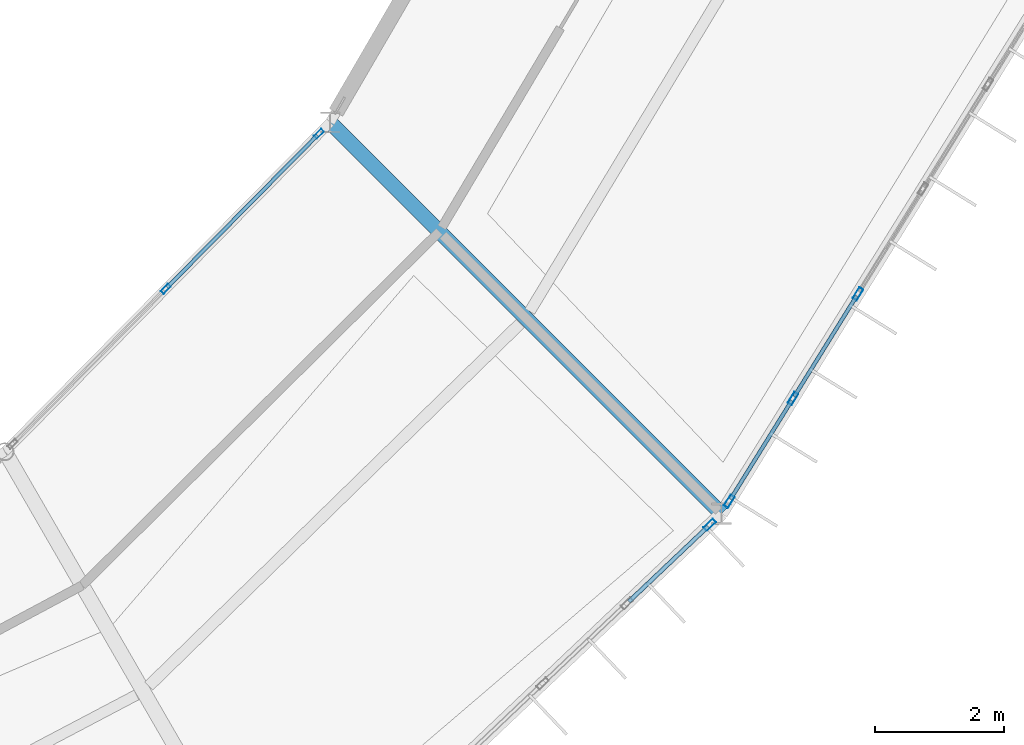
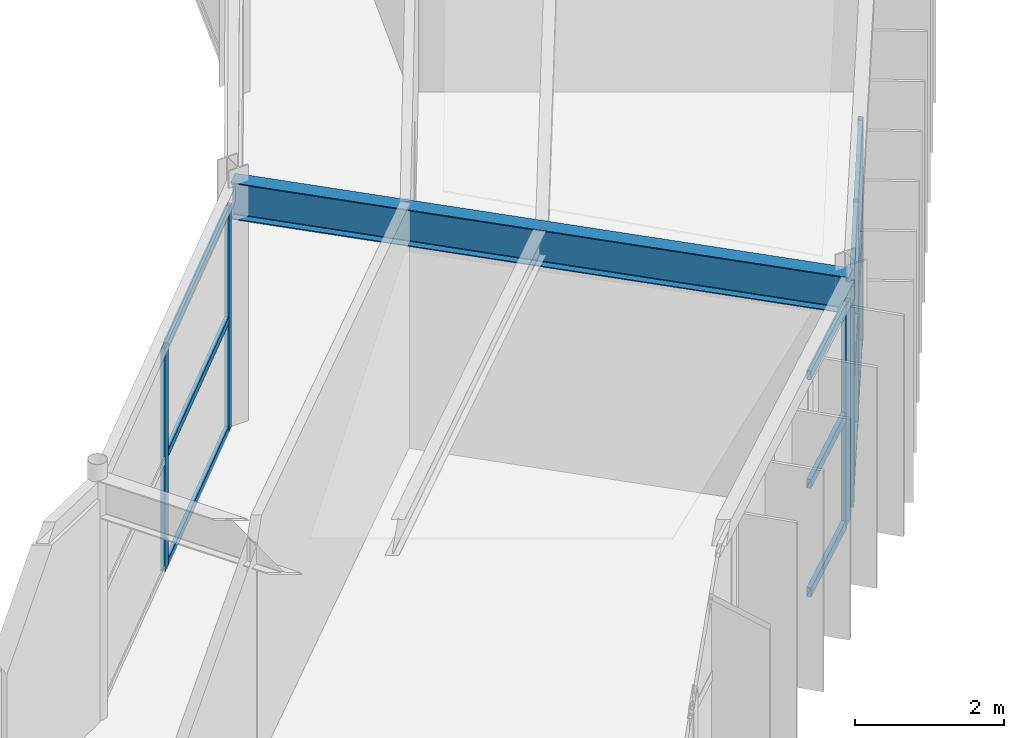
# One storey, part 53 of 148: 18 members, 1 beam, 3 elements without a shape of their own.
"""IFC4 building model written with IfcOpenShell, lengths in metres."""

from ifc_helpers import new_model, si_unit, direction, frame, origin, origin_2d, place, context, subcontext, project, spatial, hollow_rectangle, i_section, extrude, material, material_profile, profile_set, type_object, element, aggregate, save


model = new_model("IFC4")

# Units and contexts
model_context = context("Model", 3, precision=1e-05, world=origin(), true_north=direction((0.0, 1.0)))
body_context = subcontext(model_context, "Body", "Model", "MODEL_VIEW")
ifc_project = project(units=[si_unit("LENGTHUNIT", "METRE"), si_unit("AREAUNIT", "SQUARE_METRE"), si_unit("VOLUMEUNIT", "CUBIC_METRE"), si_unit("PLANEANGLEUNIT", "RADIAN"), si_unit("MASSUNIT", "GRAM", prefix="KILO")], contexts=[model_context])

# Site, building, storey
site_placement = place(None, origin())
site = spatial("IfcSite", under=ifc_project, at=site_placement, CompositionType="ELEMENT")
building_placement = place(site_placement, origin())
building = spatial("IfcBuilding", under=site, at=building_placement, Name="Karori Crest Natural Sciences Institute", CompositionType="ELEMENT")
storey_placement = place(building_placement, frame((0.0, 0.0, 4.89990234375)))
storey = spatial("IfcBuildingStorey", under=building, at=storey_placement, Name="L01", CompositionType="ELEMENT", Elevation=4.89990234375)

# Beam
ifc_material_1 = material(Name="Structural steel AS/NZS 3679.1 Grade 350", Category="steel")
ifc_material_profile_1 = material_profile(ifc_material_1, i_section(OverallWidth=0.22802734375, OverallDepth=0.60205078125, WebThickness=0.010498046875, FlangeThickness=0.014892578125, FilletRadius=0.013916015625, at=origin_2d()), Name="610UB101")
ifc_profile_set_1 = profile_set([ifc_material_profile_1], Name="Structural steel AS/NZS 3679.1 Grade 350")
beam_type = type_object("IfcBeamType", Name="BT-27", PredefinedType="BEAM", material=ifc_profile_set_1)
beam_placement = place(storey_placement, frame((83.6533203125, 27.131103515625, 3.63916015625), z_axis=(0.70712097513, -0.707092586958, 0.0), x_axis=(0.707092586958, 0.70712097513, 0.0)))
element("IfcBeam", 1, at=beam_placement, inside=storey, type_object=beam_type, Name="Beam B-0262", PredefinedType="BEAM", context=body_context, shape_type="SweptSolid", body=[
    extrude(i_section(OverallWidth=0.22802734375, OverallDepth=0.60205078125, WebThickness=0.010498046875, FlangeThickness=0.014892578125, FilletRadius=0.013916015625, at=origin_2d()), origin(), (0.0, 0.0, 1.0), 8.60009765625),
])

# Curtain wall, members
ifc_material_2 = material(Name="Anodised architectural aluminium 6063-T6", Category="aluminium")
curtain_wall_type_1 = type_object("IfcCurtainWallType", Name="CWT-11", PredefinedType="NOTDEFINED", material=ifc_material_2)
curtain_wall_1_placement = place(storey_placement, origin())
curtain_wall_1 = element("IfcCurtainWall", 2, at=curtain_wall_1_placement, inside=storey, type_object=curtain_wall_type_1, Name="Curtain wall CW-0060", PredefinedType="NOTDEFINED")
ifc_material_profile_2 = material_profile(ifc_material_2, hollow_rectangle(XDim=0.06494140625, YDim=0.159912109375, WallThickness=0.00390625, at=origin_2d()), Name="CWM160x65x4")
ifc_profile_set_2 = profile_set([ifc_material_profile_2], Name="Anodised architectural aluminium 6063-T6")
member_type_1 = type_object("IfcMemberType", Name="CWM-01", PredefinedType="MULLION", material=ifc_profile_set_2)
member_1_placement = place(storey_placement, frame((81.097900390625, 24.54345703125, 0.0), z_axis=(0.0, 0.0, 1.0), x_axis=(-0.71152941525, 0.70265631089, 0.0)))
member_1 = element("IfcMember", 3, at=member_1_placement, type_object=member_type_1, Name="CW-0060 mullion 2", PredefinedType="MULLION", context=body_context, shape_type="SweptSolid", body=[
    extrude(hollow_rectangle(XDim=0.06494140625, YDim=0.159912109375, WallThickness=0.00390625, at=origin_2d()), origin(), (0.0, 0.0, 1.0), 3.650146484375),
])
member_2_placement = place(storey_placement, frame((83.478515625, 26.9541015625, 0.0), z_axis=(0.0, 0.0, 1.0), x_axis=(-0.71152941525, 0.70265631089, 0.0)))
member_2 = element("IfcMember", 4, at=member_2_placement, type_object=member_type_1, Name="CW-0060 mullion 3", PredefinedType="MULLION", context=body_context, shape_type="SweptSolid", body=[
    extrude(hollow_rectangle(XDim=0.06494140625, YDim=0.159912109375, WallThickness=0.00390625, at=origin_2d()), origin(), (0.0, 0.0, 1.0), 3.650146484375),
])

# Curtain wall, member
curtain_wall_type_2 = type_object("IfcCurtainWallType", Name="CWT-01", PredefinedType="NOTDEFINED", material=ifc_material_2)
curtain_wall_2_placement = place(storey_placement, origin())
curtain_wall_2 = element("IfcCurtainWall", 5, at=curtain_wall_2_placement, inside=storey, type_object=curtain_wall_type_2, Name="Curtain wall CW-0059", PredefinedType="NOTDEFINED")
ifc_material_profile_3 = material_profile(ifc_material_2, hollow_rectangle(XDim=0.074951171875, YDim=0.199951171875, WallThickness=0.0048828125, at=origin_2d()), Name="CWM200x75x5")
ifc_profile_set_3 = profile_set([ifc_material_profile_3], Name="Anodised architectural aluminium 6063-T6")
member_type_2 = type_object("IfcMemberType", Name="CWM-02", PredefinedType="MULLION", material=ifc_profile_set_3)
member_3_placement = place(storey_placement, frame((89.55322265625, 20.878173828125, 0.0), z_axis=(0.0, 0.0, 1.0), x_axis=(0.688250886925, -0.725472753897, 0.0)))
member_3 = element("IfcMember", 6, at=member_3_placement, type_object=member_type_2, Name="CW-0059 mullion 1", PredefinedType="MULLION", context=body_context, shape_type="SweptSolid", body=[
    extrude(hollow_rectangle(XDim=0.074951171875, YDim=0.199951171875, WallThickness=0.0048828125, at=origin_2d()), origin(), (0.0, 0.0, 1.0), 3.625),
])

# Curtain wall, members
curtain_wall_type_3 = type_object("IfcCurtainWallType", Name="CWT-02", PredefinedType="NOTDEFINED", material=ifc_material_2)
curtain_wall_3_placement = place(storey_placement, origin())
curtain_wall_3 = element("IfcCurtainWall", 7, at=curtain_wall_3_placement, inside=storey, type_object=curtain_wall_type_3, Name="Curtain wall CW-0061", PredefinedType="NOTDEFINED")
member_4_placement = place(storey_placement, frame((91.85546875, 24.46728515625, 0.0), z_axis=(0.0, 0.0, 1.0), x_axis=(0.849662102168, -0.527327518853, 0.0)))
member_4 = element("IfcMember", 8, at=member_4_placement, type_object=member_type_2, Name="CW-0061 mullion 4", PredefinedType="MULLION", context=body_context, shape_type="SweptSolid", body=[
    extrude(hollow_rectangle(XDim=0.074951171875, YDim=0.199951171875, WallThickness=0.0048828125, at=origin_2d()), origin(), (0.0, 0.0, 1.0), 3.625),
])
member_5_placement = place(storey_placement, frame((90.84521484375, 22.839599609375, 0.0), z_axis=(0.0, 0.0, 1.0), x_axis=(0.849662102168, -0.527327518853, 0.0)))
member_5 = element("IfcMember", 9, at=member_5_placement, type_object=member_type_2, Name="CW-0061 mullion 5", PredefinedType="MULLION", context=body_context, shape_type="SweptSolid", body=[
    extrude(hollow_rectangle(XDim=0.074951171875, YDim=0.199951171875, WallThickness=0.0048828125, at=origin_2d()), origin(), (0.0, 0.0, 1.0), 3.625),
])
member_6_placement = place(storey_placement, frame((89.854736328125, 21.24365234375, 0.0), z_axis=(0.0, 0.0, 1.0), x_axis=(0.849662102168, -0.527327518853, 0.0)))
member_6 = element("IfcMember", 10, at=member_6_placement, type_object=member_type_2, Name="CW-0061 mullion 6", PredefinedType="MULLION", context=body_context, shape_type="SweptSolid", body=[
    extrude(hollow_rectangle(XDim=0.074951171875, YDim=0.199951171875, WallThickness=0.0048828125, at=origin_2d()), origin(), (0.0, 0.0, 1.0), 3.625),
])

# Member
ifc_material_profile_4 = material_profile(ifc_material_2, hollow_rectangle(XDim=0.06005859375, YDim=0.1201171875, WallThickness=0.00390625, at=origin_2d()), Name="CWT120x60x4")
ifc_profile_set_4 = profile_set([ifc_material_profile_4], Name="Anodised architectural aluminium 6063-T6")
member_type_3 = type_object("IfcMemberType", Name="CWT-TR1", PredefinedType="USERDEFINED", material=ifc_profile_set_4)
member_7_placement = place(storey_placement, frame((81.120849609375, 24.566650390625, 0.030029296875), z_axis=(0.702647532142, 0.711538084416, 0.0), x_axis=(-0.711538084416, 0.702647532142, 0.0)))
member_7 = element("IfcMember", 11, at=member_7_placement, type_object=member_type_3, Name="CW-0060 transom 2.1", ObjectType="TRANSOM", PredefinedType="USERDEFINED", context=body_context, shape_type="SweptSolid", body=[
    extrude(hollow_rectangle(XDim=0.06005859375, YDim=0.1201171875, WallThickness=0.00390625, at=origin_2d()), origin(), (0.0, 0.0, 1.0), 3.32275390625),
])

member_8_placement = place(storey_placement, frame((81.120849609375, 24.566650390625, 1.8251953125), z_axis=(0.702647532142, 0.711538084416, 0.0), x_axis=(-0.711538084416, 0.702647532142, 0.0)))
member_8 = element("IfcMember", 12, at=member_8_placement, type_object=member_type_3, Name="CW-0060 transom 2.2", ObjectType="TRANSOM", PredefinedType="USERDEFINED", context=body_context, shape_type="SweptSolid", body=[
    extrude(hollow_rectangle(XDim=0.06005859375, YDim=0.1201171875, WallThickness=0.00390625, at=origin_2d()), origin(), (0.0, 0.0, 1.0), 3.32275390625),
])

member_9_placement = place(storey_placement, frame((81.120849609375, 24.566650390625, 3.6201171875), z_axis=(0.702647532142, 0.711538084416, 0.0), x_axis=(-0.711538084416, 0.702647532142, 0.0)))
member_9 = element("IfcMember", 13, at=member_9_placement, type_object=member_type_3, Name="CW-0060 transom 2.3", ObjectType="TRANSOM", PredefinedType="USERDEFINED", context=body_context, shape_type="SweptSolid", body=[
    extrude(hollow_rectangle(XDim=0.06005859375, YDim=0.1201171875, WallThickness=0.00390625, at=origin_2d()), origin(), (0.0, 0.0, 1.0), 3.32275390625),
])

aggregate(curtain_wall_1, [member_1, member_2, member_7, member_8, member_9])

member_10_placement = place(storey_placement, frame((91.835693359375, 24.435546875, 0.030029296875), z_axis=(-0.527290232852, -0.849685241922, 0.0), x_axis=(0.849685241922, -0.527290232852, 0.0)))
member_10 = element("IfcMember", 14, at=member_10_placement, type_object=member_type_3, Name="CW-0061 transom 4.1", ObjectType="TRANSOM", PredefinedType="USERDEFINED", context=body_context, shape_type="SweptSolid", body=[
    extrude(hollow_rectangle(XDim=0.06005859375, YDim=0.1201171875, WallThickness=0.00390625, at=origin_2d()), origin(), (0.0, 0.0, 1.0), 1.8408203125),
])

member_11_placement = place(storey_placement, frame((91.835693359375, 24.435546875, 1.8125), z_axis=(-0.527290232852, -0.849685241922, 0.0), x_axis=(0.849685241922, -0.527290232852, 0.0)))
member_11 = element("IfcMember", 15, at=member_11_placement, type_object=member_type_3, Name="CW-0061 transom 4.2", ObjectType="TRANSOM", PredefinedType="USERDEFINED", context=body_context, shape_type="SweptSolid", body=[
    extrude(hollow_rectangle(XDim=0.06005859375, YDim=0.1201171875, WallThickness=0.00390625, at=origin_2d()), origin(), (0.0, 0.0, 1.0), 1.8408203125),
])

member_12_placement = place(storey_placement, frame((91.835693359375, 24.435546875, 3.59521484375), z_axis=(-0.527290232852, -0.849685241922, 0.0), x_axis=(0.849685241922, -0.527290232852, 0.0)))
member_12 = element("IfcMember", 16, at=member_12_placement, type_object=member_type_3, Name="CW-0061 transom 4.3", ObjectType="TRANSOM", PredefinedType="USERDEFINED", context=body_context, shape_type="SweptSolid", body=[
    extrude(hollow_rectangle(XDim=0.06005859375, YDim=0.1201171875, WallThickness=0.00390625, at=origin_2d()), origin(), (0.0, 0.0, 1.0), 1.8408203125),
])

member_13_placement = place(storey_placement, frame((90.825439453125, 22.8076171875, 0.030029296875), z_axis=(-0.52737971393, -0.84962970601, 0.0), x_axis=(0.84962970601, -0.52737971393, 0.0)))
member_13 = element("IfcMember", 17, at=member_13_placement, type_object=member_type_3, Name="CW-0061 transom 5.1", ObjectType="TRANSOM", PredefinedType="USERDEFINED", context=body_context, shape_type="SweptSolid", body=[
    extrude(hollow_rectangle(XDim=0.06005859375, YDim=0.1201171875, WallThickness=0.00390625, at=origin_2d()), origin(), (0.0, 0.0, 1.0), 1.80322265625),
])

member_14_placement = place(storey_placement, frame((90.825439453125, 22.8076171875, 1.8125), z_axis=(-0.52737971393, -0.84962970601, 0.0), x_axis=(0.84962970601, -0.52737971393, 0.0)))
member_14 = element("IfcMember", 18, at=member_14_placement, type_object=member_type_3, Name="CW-0061 transom 5.2", ObjectType="TRANSOM", PredefinedType="USERDEFINED", context=body_context, shape_type="SweptSolid", body=[
    extrude(hollow_rectangle(XDim=0.06005859375, YDim=0.1201171875, WallThickness=0.00390625, at=origin_2d()), origin(), (0.0, 0.0, 1.0), 1.80322265625),
])

member_15_placement = place(storey_placement, frame((90.825439453125, 22.8076171875, 3.59521484375), z_axis=(-0.52737971393, -0.84962970601, 0.0), x_axis=(0.84962970601, -0.52737971393, 0.0)))
member_15 = element("IfcMember", 19, at=member_15_placement, type_object=member_type_3, Name="CW-0061 transom 5.3", ObjectType="TRANSOM", PredefinedType="USERDEFINED", context=body_context, shape_type="SweptSolid", body=[
    extrude(hollow_rectangle(XDim=0.06005859375, YDim=0.1201171875, WallThickness=0.00390625, at=origin_2d()), origin(), (0.0, 0.0, 1.0), 1.80322265625),
])

aggregate(curtain_wall_3, [member_4, member_5, member_6, member_10, member_11, member_12, member_13, member_14, member_15])

ifc_material_profile_5 = material_profile(ifc_material_2, hollow_rectangle(XDim=0.06494140625, YDim=0.14990234375, WallThickness=0.00390625, at=origin_2d()), Name="CWT150x65x4")
ifc_profile_set_5 = profile_set([ifc_material_profile_5], Name="Anodised architectural aluminium 6063-T6")
member_type_4 = type_object("IfcMemberType", Name="CWT-TR2", PredefinedType="USERDEFINED", material=ifc_profile_set_5)
member_16_placement = place(storey_placement, frame((89.526123046875, 20.852294921875, 0.03271484375), z_axis=(-0.725419497715, -0.68830701895, 0.0), x_axis=(0.68830701895, -0.725419497715, 0.0)))
member_16 = element("IfcMember", 20, at=member_16_placement, type_object=member_type_4, Name="CW-0059 transom 1.1", ObjectType="TRANSOM", PredefinedType="USERDEFINED", context=body_context, shape_type="SweptSolid", body=[
    extrude(hollow_rectangle(XDim=0.06494140625, YDim=0.14990234375, WallThickness=0.00390625, at=origin_2d()), origin(), (0.0, 0.0, 1.0), 1.697265625),
])

member_17_placement = place(storey_placement, frame((89.526123046875, 20.852294921875, 1.8125), z_axis=(-0.725419497715, -0.68830701895, 0.0), x_axis=(0.68830701895, -0.725419497715, 0.0)))
member_17 = element("IfcMember", 21, at=member_17_placement, type_object=member_type_4, Name="CW-0059 transom 1.2", ObjectType="TRANSOM", PredefinedType="USERDEFINED", context=body_context, shape_type="SweptSolid", body=[
    extrude(hollow_rectangle(XDim=0.06494140625, YDim=0.14990234375, WallThickness=0.00390625, at=origin_2d()), origin(), (0.0, 0.0, 1.0), 1.697265625),
])

member_18_placement = place(storey_placement, frame((89.526123046875, 20.852294921875, 3.592529296875), z_axis=(-0.725419497715, -0.68830701895, 0.0), x_axis=(0.68830701895, -0.725419497715, 0.0)))
member_18 = element("IfcMember", 22, at=member_18_placement, type_object=member_type_4, Name="CW-0059 transom 1.3", ObjectType="TRANSOM", PredefinedType="USERDEFINED", context=body_context, shape_type="SweptSolid", body=[
    extrude(hollow_rectangle(XDim=0.06494140625, YDim=0.14990234375, WallThickness=0.00390625, at=origin_2d()), origin(), (0.0, 0.0, 1.0), 1.697265625),
])

aggregate(curtain_wall_2, [member_3, member_16, member_17, member_18])

save(model, "model.ifc")
